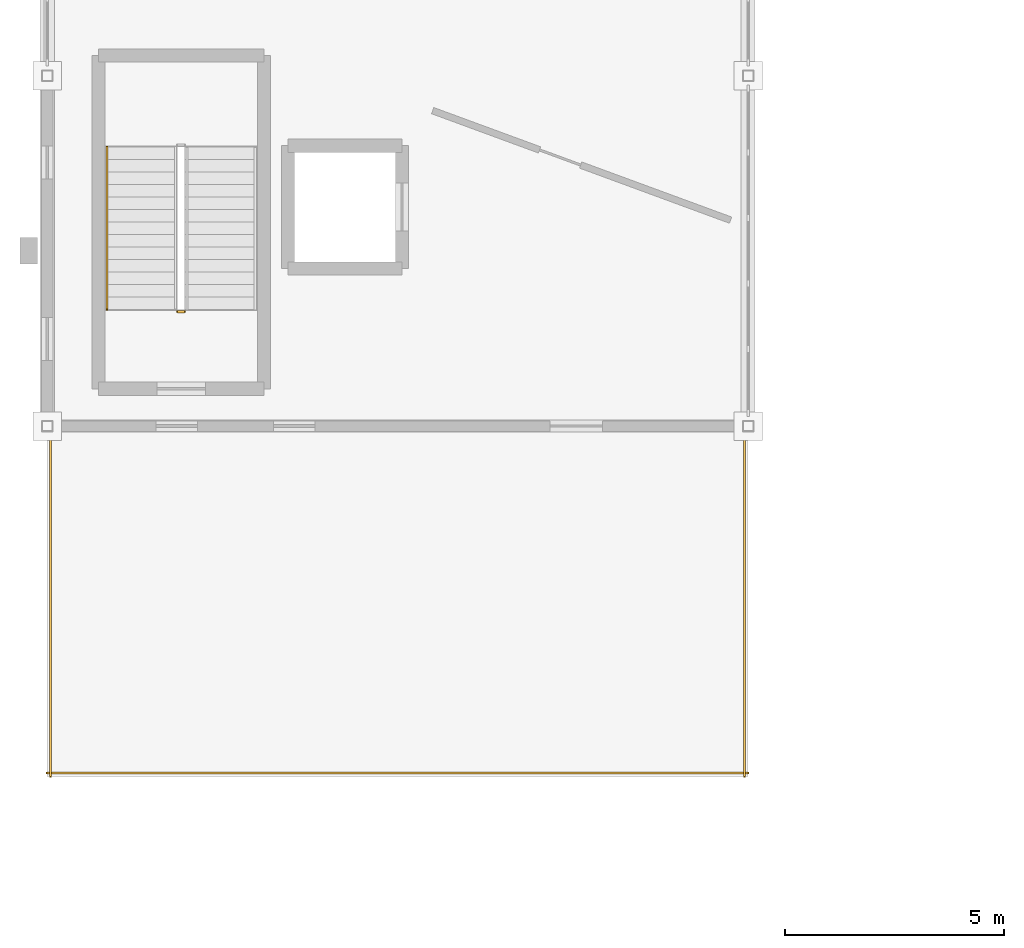
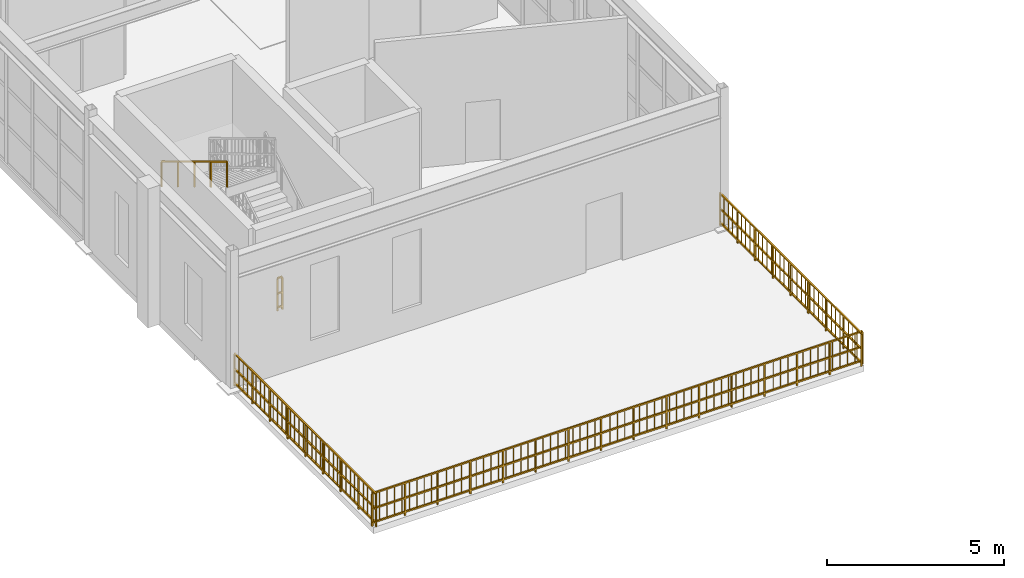
# One storey, part 54 of 61: 5 railings.
"""IFC4 building model written with IfcOpenShell, lengths in metres."""

from ifc_helpers import new_model, si_unit, direction, frame, origin, origin_2d, place, context, subcontext, project, spatial, rectangle, extrude, material, layer, layer_set, type_object, element, save


model = new_model("IFC4")

# Units and contexts
model_context = context("Model", 3, precision=1e-05, world=origin(), true_north=direction((0.0, 1.0)))
body_context = subcontext(model_context, "Body", "Model", "MODEL_VIEW")
ifc_project = project(units=[si_unit("LENGTHUNIT", "METRE"), si_unit("AREAUNIT", "SQUARE_METRE"), si_unit("VOLUMEUNIT", "CUBIC_METRE"), si_unit("PLANEANGLEUNIT", "RADIAN"), si_unit("MASSUNIT", "GRAM", prefix="KILO")], contexts=[model_context])

# Site, building, storey
site_placement = place(None, origin())
site = spatial("IfcSite", under=ifc_project, at=site_placement, CompositionType="ELEMENT")
building_placement = place(site_placement, origin())
building = spatial("IfcBuilding", under=site, at=building_placement, Name="Serraluz Foothill Cableway Terminal", CompositionType="ELEMENT")
storey_placement = place(building_placement, frame((0.0, 0.0, 15.0)))
storey = spatial("IfcBuildingStorey", under=building, at=storey_placement, Name="L03", CompositionType="ELEMENT", Elevation=15.0)

# Railings
ifc_material_1 = material(Name="Steel ASTM A572 Grade 50", Category="steel")
ifc_layer_1 = layer(ifc_material_1, 0.06005859375, Name="Steel ASTM A572 Grade 50", Category="steel")
ifc_layer_set_1 = layer_set([ifc_layer_1], Name="Steel ASTM A572 Grade 50")
railing_type_1 = type_object("IfcRailingType", Name="TYP-RL-BAL-1150", PredefinedType="BALUSTRADE", material=ifc_layer_set_1)
railing_1_placement = place(storey_placement, frame((0.080078125, 32.0, 0.0)))
element("IfcRailing", 1, at=railing_1_placement, inside=storey, type_object=railing_type_1, Name="BALUSTRADE BAL-TER-L03-V5-1", PredefinedType="BALUSTRADE", context=body_context, shape_type="SweptSolid", body=[
    extrude(rectangle(XDim=0.048095703125, YDim=0.048095703125, at=origin_2d()), frame((0.0, 0.0, 1.1259765625), z_axis=(0.0, -1.0, 0.0), x_axis=(1.0, 0.0, 0.0)), (0.0, 0.0, 1.0), 8.0),
    extrude(rectangle(XDim=0.048095703125, YDim=0.048095703125, at=origin_2d()), frame((0.0, 0.0, 0.597900390625), z_axis=(0.0, -1.0, 0.0), x_axis=(1.0, 0.0, 0.0)), (0.0, 0.0, 1.0), 8.0),
    extrude(rectangle(XDim=0.048095703125, YDim=0.048095703125, at=origin_2d()), frame((0.0, 0.0, 0.1201171875), z_axis=(0.0, -1.0, 0.0), x_axis=(1.0, 0.0, 0.0)), (0.0, 0.0, 1.0), 8.0),
    extrude(rectangle(XDim=0.02001953125, YDim=0.02001953125, at=origin_2d()), frame((0.0, -0.242431640625, 0.1201171875)), (0.0, 0.0, 1.0), 0.981689453125),
    extrude(rectangle(XDim=0.02001953125, YDim=0.02001953125, at=origin_2d()), frame((0.0, -0.48486328125, 0.1201171875)), (0.0, 0.0, 1.0), 0.981689453125),
    extrude(rectangle(XDim=0.02001953125, YDim=0.02001953125, at=origin_2d()), frame((0.0, -0.727294921875, 0.1201171875)), (0.0, 0.0, 1.0), 0.981689453125),
    extrude(rectangle(XDim=0.02001953125, YDim=0.02001953125, at=origin_2d()), frame((0.0, -1.212158203125, 0.1201171875)), (0.0, 0.0, 1.0), 0.981689453125),
    extrude(rectangle(XDim=0.02001953125, YDim=0.02001953125, at=origin_2d()), frame((0.0, -1.45458984375, 0.1201171875)), (0.0, 0.0, 1.0), 0.981689453125),
    extrude(rectangle(XDim=0.02001953125, YDim=0.02001953125, at=origin_2d()), frame((0.0, -1.697021484375, 0.1201171875)), (0.0, 0.0, 1.0), 0.981689453125),
    extrude(rectangle(XDim=0.02001953125, YDim=0.02001953125, at=origin_2d()), frame((0.0, -1.939453125, 0.1201171875)), (0.0, 0.0, 1.0), 0.981689453125),
    extrude(rectangle(XDim=0.02001953125, YDim=0.02001953125, at=origin_2d()), frame((0.0, -2.181884765625, 0.1201171875)), (0.0, 0.0, 1.0), 0.981689453125),
    extrude(rectangle(XDim=0.02001953125, YDim=0.02001953125, at=origin_2d()), frame((0.0, -2.42431640625, 0.1201171875)), (0.0, 0.0, 1.0), 0.981689453125),
    extrude(rectangle(XDim=0.02001953125, YDim=0.02001953125, at=origin_2d()), frame((0.0, -2.666748046875, 0.1201171875)), (0.0, 0.0, 1.0), 0.981689453125),
    extrude(rectangle(XDim=0.02001953125, YDim=0.02001953125, at=origin_2d()), frame((0.0, -2.9091796875, 0.1201171875)), (0.0, 0.0, 1.0), 0.981689453125),
    extrude(rectangle(XDim=0.02001953125, YDim=0.02001953125, at=origin_2d()), frame((0.0, -3.151611328125, 0.1201171875)), (0.0, 0.0, 1.0), 0.981689453125),
    extrude(rectangle(XDim=0.02001953125, YDim=0.02001953125, at=origin_2d()), frame((0.0, -3.39404296875, 0.1201171875)), (0.0, 0.0, 1.0), 0.981689453125),
    extrude(rectangle(XDim=0.02001953125, YDim=0.02001953125, at=origin_2d()), frame((0.0, -3.636474609375, 0.1201171875)), (0.0, 0.0, 1.0), 0.981689453125),
    extrude(rectangle(XDim=0.02001953125, YDim=0.02001953125, at=origin_2d()), frame((0.0, -3.87890625, 0.1201171875)), (0.0, 0.0, 1.0), 0.981689453125),
    extrude(rectangle(XDim=0.02001953125, YDim=0.02001953125, at=origin_2d()), frame((0.0, -4.12109375, 0.1201171875)), (0.0, 0.0, 1.0), 0.981689453125),
    extrude(rectangle(XDim=0.02001953125, YDim=0.02001953125, at=origin_2d()), frame((0.0, -4.363525390625, 0.1201171875)), (0.0, 0.0, 1.0), 0.981689453125),
    extrude(rectangle(XDim=0.02001953125, YDim=0.02001953125, at=origin_2d()), frame((0.0, -4.60595703125, 0.1201171875)), (0.0, 0.0, 1.0), 0.981689453125),
    extrude(rectangle(XDim=0.02001953125, YDim=0.02001953125, at=origin_2d()), frame((0.0, -4.848388671875, 0.1201171875)), (0.0, 0.0, 1.0), 0.981689453125),
    extrude(rectangle(XDim=0.02001953125, YDim=0.02001953125, at=origin_2d()), frame((0.0, -5.0908203125, 0.1201171875)), (0.0, 0.0, 1.0), 0.981689453125),
    extrude(rectangle(XDim=0.02001953125, YDim=0.02001953125, at=origin_2d()), frame((0.0, -5.333251953125, 0.1201171875)), (0.0, 0.0, 1.0), 0.981689453125),
    extrude(rectangle(XDim=0.02001953125, YDim=0.02001953125, at=origin_2d()), frame((0.0, -5.57568359375, 0.1201171875)), (0.0, 0.0, 1.0), 0.981689453125),
    extrude(rectangle(XDim=0.02001953125, YDim=0.02001953125, at=origin_2d()), frame((0.0, -5.818115234375, 0.1201171875)), (0.0, 0.0, 1.0), 0.981689453125),
    extrude(rectangle(XDim=0.02001953125, YDim=0.02001953125, at=origin_2d()), frame((0.0, -6.060546875, 0.1201171875)), (0.0, 0.0, 1.0), 0.981689453125),
    extrude(rectangle(XDim=0.02001953125, YDim=0.02001953125, at=origin_2d()), frame((0.0, -6.302978515625, 0.1201171875)), (0.0, 0.0, 1.0), 0.981689453125),
    extrude(rectangle(XDim=0.02001953125, YDim=0.02001953125, at=origin_2d()), frame((0.0, -6.54541015625, 0.1201171875)), (0.0, 0.0, 1.0), 0.981689453125),
    extrude(rectangle(XDim=0.02001953125, YDim=0.02001953125, at=origin_2d()), frame((0.0, -6.787841796875, 0.1201171875)), (0.0, 0.0, 1.0), 0.981689453125),
    extrude(rectangle(XDim=0.02001953125, YDim=0.02001953125, at=origin_2d()), frame((0.0, -7.272705078125, 0.1201171875)), (0.0, 0.0, 1.0), 0.981689453125),
    extrude(rectangle(XDim=0.02001953125, YDim=0.02001953125, at=origin_2d()), frame((0.0, -7.51513671875, 0.1201171875)), (0.0, 0.0, 1.0), 0.981689453125),
    extrude(rectangle(XDim=0.02001953125, YDim=0.02001953125, at=origin_2d()), frame((0.0, -7.757568359375, 0.1201171875)), (0.0, 0.0, 1.0), 0.981689453125),
    extrude(rectangle(XDim=0.0439453125, YDim=0.0439453125, at=origin_2d()), origin(), (0.0, 0.0, 1.0), 1.101806640625),
    extrude(rectangle(XDim=0.0439453125, YDim=0.0439453125, at=origin_2d()), frame((0.0, -1.0, 0.0)), (0.0, 0.0, 1.0), 1.101806640625),
    extrude(rectangle(XDim=0.0439453125, YDim=0.0439453125, at=origin_2d()), frame((0.0, -2.0, 0.0)), (0.0, 0.0, 1.0), 1.101806640625),
    extrude(rectangle(XDim=0.0439453125, YDim=0.0439453125, at=origin_2d()), frame((0.0, -3.0, 0.0)), (0.0, 0.0, 1.0), 1.101806640625),
    extrude(rectangle(XDim=0.0439453125, YDim=0.0439453125, at=origin_2d()), frame((0.0, -4.0, 0.0)), (0.0, 0.0, 1.0), 1.101806640625),
    extrude(rectangle(XDim=0.0439453125, YDim=0.0439453125, at=origin_2d()), frame((0.0, -5.0, 0.0)), (0.0, 0.0, 1.0), 1.101806640625),
    extrude(rectangle(XDim=0.0439453125, YDim=0.0439453125, at=origin_2d()), frame((0.0, -6.0, 0.0)), (0.0, 0.0, 1.0), 1.101806640625),
    extrude(rectangle(XDim=0.0439453125, YDim=0.0439453125, at=origin_2d()), frame((0.0, -7.0, 0.0)), (0.0, 0.0, 1.0), 1.101806640625),
    extrude(rectangle(XDim=0.0439453125, YDim=0.0439453125, at=origin_2d()), frame((0.0, -8.0, 0.0)), (0.0, 0.0, 1.0), 1.101806640625),
])
railing_2_placement = place(storey_placement, frame((0.0, 24.080078125, 0.0)))
element("IfcRailing", 2, at=railing_2_placement, inside=storey, type_object=railing_type_1, Name="BALUSTRADE BAL-TER-L03-V5-2", PredefinedType="BALUSTRADE", context=body_context, shape_type="SweptSolid", body=[
    extrude(rectangle(XDim=0.048095703125, YDim=0.048095703125, at=origin_2d()), frame((0.0, 0.0, 1.1259765625), z_axis=(1.0, 0.0, 0.0), x_axis=(0.0, 1.0, 0.0)), (0.0, 0.0, 1.0), 16.0),
    extrude(rectangle(XDim=0.048095703125, YDim=0.048095703125, at=origin_2d()), frame((0.0, 0.0, 0.597900390625), z_axis=(1.0, 0.0, 0.0), x_axis=(0.0, 1.0, 0.0)), (0.0, 0.0, 1.0), 16.0),
    extrude(rectangle(XDim=0.048095703125, YDim=0.048095703125, at=origin_2d()), frame((0.0, 0.0, 0.1201171875), z_axis=(1.0, 0.0, 0.0), x_axis=(0.0, 1.0, 0.0)), (0.0, 0.0, 1.0), 16.0),
    extrude(rectangle(XDim=0.02001953125, YDim=0.02001953125, at=origin_2d()), frame((0.242431640625, 0.0, 0.1201171875)), (0.0, 0.0, 1.0), 0.981689453125),
    extrude(rectangle(XDim=0.02001953125, YDim=0.02001953125, at=origin_2d()), frame((0.48486328125, 0.0, 0.1201171875)), (0.0, 0.0, 1.0), 0.981689453125),
    extrude(rectangle(XDim=0.02001953125, YDim=0.02001953125, at=origin_2d()), frame((0.727294921875, 0.0, 0.1201171875)), (0.0, 0.0, 1.0), 0.981689453125),
    extrude(rectangle(XDim=0.02001953125, YDim=0.02001953125, at=origin_2d()), frame((0.9697265625, 0.0, 0.1201171875)), (0.0, 0.0, 1.0), 0.981689453125),
    extrude(rectangle(XDim=0.02001953125, YDim=0.02001953125, at=origin_2d()), frame((1.212158203125, 0.0, 0.1201171875)), (0.0, 0.0, 1.0), 0.981689453125),
    extrude(rectangle(XDim=0.02001953125, YDim=0.02001953125, at=origin_2d()), frame((1.45458984375, 0.0, 0.1201171875)), (0.0, 0.0, 1.0), 0.981689453125),
    extrude(rectangle(XDim=0.02001953125, YDim=0.02001953125, at=origin_2d()), frame((1.697021484375, 0.0, 0.1201171875)), (0.0, 0.0, 1.0), 0.981689453125),
    extrude(rectangle(XDim=0.02001953125, YDim=0.02001953125, at=origin_2d()), frame((1.939453125, 0.0, 0.1201171875)), (0.0, 0.0, 1.0), 0.981689453125),
    extrude(rectangle(XDim=0.02001953125, YDim=0.02001953125, at=origin_2d()), frame((2.42431640625, 0.0, 0.1201171875)), (0.0, 0.0, 1.0), 0.981689453125),
    extrude(rectangle(XDim=0.02001953125, YDim=0.02001953125, at=origin_2d()), frame((2.666748046875, 0.0, 0.1201171875)), (0.0, 0.0, 1.0), 0.981689453125),
    extrude(rectangle(XDim=0.02001953125, YDim=0.02001953125, at=origin_2d()), frame((2.9091796875, 0.0, 0.1201171875)), (0.0, 0.0, 1.0), 0.981689453125),
    extrude(rectangle(XDim=0.02001953125, YDim=0.02001953125, at=origin_2d()), frame((3.39404296875, 0.0, 0.1201171875)), (0.0, 0.0, 1.0), 0.981689453125),
    extrude(rectangle(XDim=0.02001953125, YDim=0.02001953125, at=origin_2d()), frame((3.636474609375, 0.0, 0.1201171875)), (0.0, 0.0, 1.0), 0.981689453125),
    extrude(rectangle(XDim=0.02001953125, YDim=0.02001953125, at=origin_2d()), frame((3.87890625, 0.0, 0.1201171875)), (0.0, 0.0, 1.0), 0.981689453125),
    extrude(rectangle(XDim=0.02001953125, YDim=0.02001953125, at=origin_2d()), frame((4.12109375, 0.0, 0.1201171875)), (0.0, 0.0, 1.0), 0.981689453125),
    extrude(rectangle(XDim=0.02001953125, YDim=0.02001953125, at=origin_2d()), frame((4.363525390625, 0.0, 0.1201171875)), (0.0, 0.0, 1.0), 0.981689453125),
    extrude(rectangle(XDim=0.02001953125, YDim=0.02001953125, at=origin_2d()), frame((4.60595703125, 0.0, 0.1201171875)), (0.0, 0.0, 1.0), 0.981689453125),
    extrude(rectangle(XDim=0.02001953125, YDim=0.02001953125, at=origin_2d()), frame((4.848388671875, 0.0, 0.1201171875)), (0.0, 0.0, 1.0), 0.981689453125),
    extrude(rectangle(XDim=0.02001953125, YDim=0.02001953125, at=origin_2d()), frame((5.0908203125, 0.0, 0.1201171875)), (0.0, 0.0, 1.0), 0.981689453125),
    extrude(rectangle(XDim=0.02001953125, YDim=0.02001953125, at=origin_2d()), frame((5.57568359375, 0.0, 0.1201171875)), (0.0, 0.0, 1.0), 0.981689453125),
    extrude(rectangle(XDim=0.02001953125, YDim=0.02001953125, at=origin_2d()), frame((5.818115234375, 0.0, 0.1201171875)), (0.0, 0.0, 1.0), 0.981689453125),
    extrude(rectangle(XDim=0.02001953125, YDim=0.02001953125, at=origin_2d()), frame((6.060546875, 0.0, 0.1201171875)), (0.0, 0.0, 1.0), 0.981689453125),
    extrude(rectangle(XDim=0.02001953125, YDim=0.02001953125, at=origin_2d()), frame((6.302978515625, 0.0, 0.1201171875)), (0.0, 0.0, 1.0), 0.981689453125),
    extrude(rectangle(XDim=0.02001953125, YDim=0.02001953125, at=origin_2d()), frame((6.54541015625, 0.0, 0.1201171875)), (0.0, 0.0, 1.0), 0.981689453125),
    extrude(rectangle(XDim=0.02001953125, YDim=0.02001953125, at=origin_2d()), frame((6.787841796875, 0.0, 0.1201171875)), (0.0, 0.0, 1.0), 0.981689453125),
    extrude(rectangle(XDim=0.02001953125, YDim=0.02001953125, at=origin_2d()), frame((7.0302734375, 0.0, 0.1201171875)), (0.0, 0.0, 1.0), 0.981689453125),
    extrude(rectangle(XDim=0.02001953125, YDim=0.02001953125, at=origin_2d()), frame((7.272705078125, 0.0, 0.1201171875)), (0.0, 0.0, 1.0), 0.981689453125),
    extrude(rectangle(XDim=0.02001953125, YDim=0.02001953125, at=origin_2d()), frame((7.757568359375, 0.0, 0.1201171875)), (0.0, 0.0, 1.0), 0.981689453125),
    extrude(rectangle(XDim=0.02001953125, YDim=0.02001953125, at=origin_2d()), frame((8.0, 0.0, 0.1201171875)), (0.0, 0.0, 1.0), 0.981689453125),
    extrude(rectangle(XDim=0.02001953125, YDim=0.02001953125, at=origin_2d()), frame((8.242431640625, 0.0, 0.1201171875)), (0.0, 0.0, 1.0), 0.981689453125),
    extrude(rectangle(XDim=0.02001953125, YDim=0.02001953125, at=origin_2d()), frame((8.727294921875, 0.0, 0.1201171875)), (0.0, 0.0, 1.0), 0.981689453125),
    extrude(rectangle(XDim=0.02001953125, YDim=0.02001953125, at=origin_2d()), frame((8.9697265625, 0.0, 0.1201171875)), (0.0, 0.0, 1.0), 0.981689453125),
    extrude(rectangle(XDim=0.02001953125, YDim=0.02001953125, at=origin_2d()), frame((9.212158203125, 0.0, 0.1201171875)), (0.0, 0.0, 1.0), 0.981689453125),
    extrude(rectangle(XDim=0.02001953125, YDim=0.02001953125, at=origin_2d()), frame((9.45458984375, 0.0, 0.1201171875)), (0.0, 0.0, 1.0), 0.981689453125),
    extrude(rectangle(XDim=0.02001953125, YDim=0.02001953125, at=origin_2d()), frame((9.697021484375, 0.0, 0.1201171875)), (0.0, 0.0, 1.0), 0.981689453125),
    extrude(rectangle(XDim=0.02001953125, YDim=0.02001953125, at=origin_2d()), frame((9.939453125, 0.0, 0.1201171875)), (0.0, 0.0, 1.0), 0.981689453125),
    extrude(rectangle(XDim=0.02001953125, YDim=0.02001953125, at=origin_2d()), frame((10.181884765625, 0.0, 0.1201171875)), (0.0, 0.0, 1.0), 0.981689453125),
    extrude(rectangle(XDim=0.02001953125, YDim=0.02001953125, at=origin_2d()), frame((10.42431640625, 0.0, 0.1201171875)), (0.0, 0.0, 1.0), 0.981689453125),
    extrude(rectangle(XDim=0.02001953125, YDim=0.02001953125, at=origin_2d()), frame((10.9091796875, 0.0, 0.1201171875)), (0.0, 0.0, 1.0), 0.981689453125),
    extrude(rectangle(XDim=0.02001953125, YDim=0.02001953125, at=origin_2d()), frame((11.151611328125, 0.0, 0.1201171875)), (0.0, 0.0, 1.0), 0.981689453125),
    extrude(rectangle(XDim=0.02001953125, YDim=0.02001953125, at=origin_2d()), frame((11.39404296875, 0.0, 0.1201171875)), (0.0, 0.0, 1.0), 0.981689453125),
    extrude(rectangle(XDim=0.02001953125, YDim=0.02001953125, at=origin_2d()), frame((11.636474609375, 0.0, 0.1201171875)), (0.0, 0.0, 1.0), 0.981689453125),
    extrude(rectangle(XDim=0.02001953125, YDim=0.02001953125, at=origin_2d()), frame((11.87890625, 0.0, 0.1201171875)), (0.0, 0.0, 1.0), 0.981689453125),
    extrude(rectangle(XDim=0.02001953125, YDim=0.02001953125, at=origin_2d()), frame((12.12109375, 0.0, 0.1201171875)), (0.0, 0.0, 1.0), 0.981689453125),
    extrude(rectangle(XDim=0.02001953125, YDim=0.02001953125, at=origin_2d()), frame((12.363525390625, 0.0, 0.1201171875)), (0.0, 0.0, 1.0), 0.981689453125),
    extrude(rectangle(XDim=0.02001953125, YDim=0.02001953125, at=origin_2d()), frame((12.60595703125, 0.0, 0.1201171875)), (0.0, 0.0, 1.0), 0.981689453125),
    extrude(rectangle(XDim=0.02001953125, YDim=0.02001953125, at=origin_2d()), frame((13.0908203125, 0.0, 0.1201171875)), (0.0, 0.0, 1.0), 0.981689453125),
    extrude(rectangle(XDim=0.02001953125, YDim=0.02001953125, at=origin_2d()), frame((13.333251953125, 0.0, 0.1201171875)), (0.0, 0.0, 1.0), 0.981689453125),
    extrude(rectangle(XDim=0.02001953125, YDim=0.02001953125, at=origin_2d()), frame((13.57568359375, 0.0, 0.1201171875)), (0.0, 0.0, 1.0), 0.981689453125),
    extrude(rectangle(XDim=0.02001953125, YDim=0.02001953125, at=origin_2d()), frame((14.060546875, 0.0, 0.1201171875)), (0.0, 0.0, 1.0), 0.981689453125),
    extrude(rectangle(XDim=0.02001953125, YDim=0.02001953125, at=origin_2d()), frame((14.302978515625, 0.0, 0.1201171875)), (0.0, 0.0, 1.0), 0.981689453125),
    extrude(rectangle(XDim=0.02001953125, YDim=0.02001953125, at=origin_2d()), frame((14.54541015625, 0.0, 0.1201171875)), (0.0, 0.0, 1.0), 0.981689453125),
    extrude(rectangle(XDim=0.02001953125, YDim=0.02001953125, at=origin_2d()), frame((14.787841796875, 0.0, 0.1201171875)), (0.0, 0.0, 1.0), 0.981689453125),
    extrude(rectangle(XDim=0.02001953125, YDim=0.02001953125, at=origin_2d()), frame((15.0302734375, 0.0, 0.1201171875)), (0.0, 0.0, 1.0), 0.981689453125),
    extrude(rectangle(XDim=0.02001953125, YDim=0.02001953125, at=origin_2d()), frame((15.272705078125, 0.0, 0.1201171875)), (0.0, 0.0, 1.0), 0.981689453125),
    extrude(rectangle(XDim=0.02001953125, YDim=0.02001953125, at=origin_2d()), frame((15.51513671875, 0.0, 0.1201171875)), (0.0, 0.0, 1.0), 0.981689453125),
    extrude(rectangle(XDim=0.02001953125, YDim=0.02001953125, at=origin_2d()), frame((15.757568359375, 0.0, 0.1201171875)), (0.0, 0.0, 1.0), 0.981689453125),
    extrude(rectangle(XDim=0.0439453125, YDim=0.0439453125, at=origin_2d()), origin(), (0.0, 0.0, 1.0), 1.101806640625),
    extrude(rectangle(XDim=0.0439453125, YDim=0.0439453125, at=origin_2d()), frame((1.066650390625, 0.0, 0.0)), (0.0, 0.0, 1.0), 1.101806640625),
    extrude(rectangle(XDim=0.0439453125, YDim=0.0439453125, at=origin_2d()), frame((2.13330078125, 0.0, 0.0)), (0.0, 0.0, 1.0), 1.101806640625),
    extrude(rectangle(XDim=0.0439453125, YDim=0.0439453125, at=origin_2d()), frame((3.199951171875, 0.0, 0.0)), (0.0, 0.0, 1.0), 1.101806640625),
    extrude(rectangle(XDim=0.0439453125, YDim=0.0439453125, at=origin_2d()), frame((4.2666015625, 0.0, 0.0)), (0.0, 0.0, 1.0), 1.101806640625),
    extrude(rectangle(XDim=0.0439453125, YDim=0.0439453125, at=origin_2d()), frame((5.333251953125, 0.0, 0.0)), (0.0, 0.0, 1.0), 1.101806640625),
    extrude(rectangle(XDim=0.0439453125, YDim=0.0439453125, at=origin_2d()), frame((6.39990234375, 0.0, 0.0)), (0.0, 0.0, 1.0), 1.101806640625),
    extrude(rectangle(XDim=0.0439453125, YDim=0.0439453125, at=origin_2d()), frame((7.466552734375, 0.0, 0.0)), (0.0, 0.0, 1.0), 1.101806640625),
    extrude(rectangle(XDim=0.0439453125, YDim=0.0439453125, at=origin_2d()), frame((8.533447265625, 0.0, 0.0)), (0.0, 0.0, 1.0), 1.101806640625),
    extrude(rectangle(XDim=0.0439453125, YDim=0.0439453125, at=origin_2d()), frame((9.60009765625, 0.0, 0.0)), (0.0, 0.0, 1.0), 1.101806640625),
    extrude(rectangle(XDim=0.0439453125, YDim=0.0439453125, at=origin_2d()), frame((10.666748046875, 0.0, 0.0)), (0.0, 0.0, 1.0), 1.101806640625),
    extrude(rectangle(XDim=0.0439453125, YDim=0.0439453125, at=origin_2d()), frame((11.7333984375, 0.0, 0.0)), (0.0, 0.0, 1.0), 1.101806640625),
    extrude(rectangle(XDim=0.0439453125, YDim=0.0439453125, at=origin_2d()), frame((12.800048828125, 0.0, 0.0)), (0.0, 0.0, 1.0), 1.101806640625),
    extrude(rectangle(XDim=0.0439453125, YDim=0.0439453125, at=origin_2d()), frame((13.86669921875, 0.0, 0.0)), (0.0, 0.0, 1.0), 1.101806640625),
    extrude(rectangle(XDim=0.0439453125, YDim=0.0439453125, at=origin_2d()), frame((14.933349609375, 0.0, 0.0)), (0.0, 0.0, 1.0), 1.101806640625),
    extrude(rectangle(XDim=0.0439453125, YDim=0.0439453125, at=origin_2d()), frame((16.0, 0.0, 0.0)), (0.0, 0.0, 1.0), 1.101806640625),
])
railing_3_placement = place(storey_placement, frame((15.919921875, 24.0, 0.0)))
element("IfcRailing", 3, at=railing_3_placement, inside=storey, type_object=railing_type_1, Name="BALUSTRADE BAL-TER-L03-V5-3", PredefinedType="BALUSTRADE", context=body_context, shape_type="SweptSolid", body=[
    extrude(rectangle(XDim=0.048095703125, YDim=0.048095703125, at=origin_2d()), frame((0.0, 0.0, 1.1259765625), z_axis=(0.0, 1.0, 0.0), x_axis=(-1.0, 0.0, 0.0)), (0.0, 0.0, 1.0), 8.0),
    extrude(rectangle(XDim=0.048095703125, YDim=0.048095703125, at=origin_2d()), frame((0.0, 0.0, 0.597900390625), z_axis=(0.0, 1.0, 0.0), x_axis=(-1.0, 0.0, 0.0)), (0.0, 0.0, 1.0), 8.0),
    extrude(rectangle(XDim=0.048095703125, YDim=0.048095703125, at=origin_2d()), frame((0.0, 0.0, 0.1201171875), z_axis=(0.0, 1.0, 0.0), x_axis=(-1.0, 0.0, 0.0)), (0.0, 0.0, 1.0), 8.0),
    extrude(rectangle(XDim=0.02001953125, YDim=0.02001953125, at=origin_2d()), frame((0.0, 0.242431640625, 0.1201171875)), (0.0, 0.0, 1.0), 0.981689453125),
    extrude(rectangle(XDim=0.02001953125, YDim=0.02001953125, at=origin_2d()), frame((0.0, 0.48486328125, 0.1201171875)), (0.0, 0.0, 1.0), 0.981689453125),
    extrude(rectangle(XDim=0.02001953125, YDim=0.02001953125, at=origin_2d()), frame((0.0, 0.727294921875, 0.1201171875)), (0.0, 0.0, 1.0), 0.981689453125),
    extrude(rectangle(XDim=0.02001953125, YDim=0.02001953125, at=origin_2d()), frame((0.0, 1.212158203125, 0.1201171875)), (0.0, 0.0, 1.0), 0.981689453125),
    extrude(rectangle(XDim=0.02001953125, YDim=0.02001953125, at=origin_2d()), frame((0.0, 1.45458984375, 0.1201171875)), (0.0, 0.0, 1.0), 0.981689453125),
    extrude(rectangle(XDim=0.02001953125, YDim=0.02001953125, at=origin_2d()), frame((0.0, 1.697021484375, 0.1201171875)), (0.0, 0.0, 1.0), 0.981689453125),
    extrude(rectangle(XDim=0.02001953125, YDim=0.02001953125, at=origin_2d()), frame((0.0, 1.939453125, 0.1201171875)), (0.0, 0.0, 1.0), 0.981689453125),
    extrude(rectangle(XDim=0.02001953125, YDim=0.02001953125, at=origin_2d()), frame((0.0, 2.181884765625, 0.1201171875)), (0.0, 0.0, 1.0), 0.981689453125),
    extrude(rectangle(XDim=0.02001953125, YDim=0.02001953125, at=origin_2d()), frame((0.0, 2.42431640625, 0.1201171875)), (0.0, 0.0, 1.0), 0.981689453125),
    extrude(rectangle(XDim=0.02001953125, YDim=0.02001953125, at=origin_2d()), frame((0.0, 2.666748046875, 0.1201171875)), (0.0, 0.0, 1.0), 0.981689453125),
    extrude(rectangle(XDim=0.02001953125, YDim=0.02001953125, at=origin_2d()), frame((0.0, 2.9091796875, 0.1201171875)), (0.0, 0.0, 1.0), 0.981689453125),
    extrude(rectangle(XDim=0.02001953125, YDim=0.02001953125, at=origin_2d()), frame((0.0, 3.151611328125, 0.1201171875)), (0.0, 0.0, 1.0), 0.981689453125),
    extrude(rectangle(XDim=0.02001953125, YDim=0.02001953125, at=origin_2d()), frame((0.0, 3.39404296875, 0.1201171875)), (0.0, 0.0, 1.0), 0.981689453125),
    extrude(rectangle(XDim=0.02001953125, YDim=0.02001953125, at=origin_2d()), frame((0.0, 3.636474609375, 0.1201171875)), (0.0, 0.0, 1.0), 0.981689453125),
    extrude(rectangle(XDim=0.02001953125, YDim=0.02001953125, at=origin_2d()), frame((0.0, 3.87890625, 0.1201171875)), (0.0, 0.0, 1.0), 0.981689453125),
    extrude(rectangle(XDim=0.02001953125, YDim=0.02001953125, at=origin_2d()), frame((0.0, 4.12109375, 0.1201171875)), (0.0, 0.0, 1.0), 0.981689453125),
    extrude(rectangle(XDim=0.02001953125, YDim=0.02001953125, at=origin_2d()), frame((0.0, 4.363525390625, 0.1201171875)), (0.0, 0.0, 1.0), 0.981689453125),
    extrude(rectangle(XDim=0.02001953125, YDim=0.02001953125, at=origin_2d()), frame((0.0, 4.60595703125, 0.1201171875)), (0.0, 0.0, 1.0), 0.981689453125),
    extrude(rectangle(XDim=0.02001953125, YDim=0.02001953125, at=origin_2d()), frame((0.0, 4.848388671875, 0.1201171875)), (0.0, 0.0, 1.0), 0.981689453125),
    extrude(rectangle(XDim=0.02001953125, YDim=0.02001953125, at=origin_2d()), frame((0.0, 5.0908203125, 0.1201171875)), (0.0, 0.0, 1.0), 0.981689453125),
    extrude(rectangle(XDim=0.02001953125, YDim=0.02001953125, at=origin_2d()), frame((0.0, 5.333251953125, 0.1201171875)), (0.0, 0.0, 1.0), 0.981689453125),
    extrude(rectangle(XDim=0.02001953125, YDim=0.02001953125, at=origin_2d()), frame((0.0, 5.57568359375, 0.1201171875)), (0.0, 0.0, 1.0), 0.981689453125),
    extrude(rectangle(XDim=0.02001953125, YDim=0.02001953125, at=origin_2d()), frame((0.0, 5.818115234375, 0.1201171875)), (0.0, 0.0, 1.0), 0.981689453125),
    extrude(rectangle(XDim=0.02001953125, YDim=0.02001953125, at=origin_2d()), frame((0.0, 6.060546875, 0.1201171875)), (0.0, 0.0, 1.0), 0.981689453125),
    extrude(rectangle(XDim=0.02001953125, YDim=0.02001953125, at=origin_2d()), frame((0.0, 6.302978515625, 0.1201171875)), (0.0, 0.0, 1.0), 0.981689453125),
    extrude(rectangle(XDim=0.02001953125, YDim=0.02001953125, at=origin_2d()), frame((0.0, 6.54541015625, 0.1201171875)), (0.0, 0.0, 1.0), 0.981689453125),
    extrude(rectangle(XDim=0.02001953125, YDim=0.02001953125, at=origin_2d()), frame((0.0, 6.787841796875, 0.1201171875)), (0.0, 0.0, 1.0), 0.981689453125),
    extrude(rectangle(XDim=0.02001953125, YDim=0.02001953125, at=origin_2d()), frame((0.0, 7.272705078125, 0.1201171875)), (0.0, 0.0, 1.0), 0.981689453125),
    extrude(rectangle(XDim=0.02001953125, YDim=0.02001953125, at=origin_2d()), frame((0.0, 7.51513671875, 0.1201171875)), (0.0, 0.0, 1.0), 0.981689453125),
    extrude(rectangle(XDim=0.02001953125, YDim=0.02001953125, at=origin_2d()), frame((0.0, 7.757568359375, 0.1201171875)), (0.0, 0.0, 1.0), 0.981689453125),
    extrude(rectangle(XDim=0.0439453125, YDim=0.0439453125, at=origin_2d()), origin(), (0.0, 0.0, 1.0), 1.101806640625),
    extrude(rectangle(XDim=0.0439453125, YDim=0.0439453125, at=origin_2d()), frame((0.0, 1.0, 0.0)), (0.0, 0.0, 1.0), 1.101806640625),
    extrude(rectangle(XDim=0.0439453125, YDim=0.0439453125, at=origin_2d()), frame((0.0, 2.0, 0.0)), (0.0, 0.0, 1.0), 1.101806640625),
    extrude(rectangle(XDim=0.0439453125, YDim=0.0439453125, at=origin_2d()), frame((0.0, 3.0, 0.0)), (0.0, 0.0, 1.0), 1.101806640625),
    extrude(rectangle(XDim=0.0439453125, YDim=0.0439453125, at=origin_2d()), frame((0.0, 4.0, 0.0)), (0.0, 0.0, 1.0), 1.101806640625),
    extrude(rectangle(XDim=0.0439453125, YDim=0.0439453125, at=origin_2d()), frame((0.0, 5.0, 0.0)), (0.0, 0.0, 1.0), 1.101806640625),
    extrude(rectangle(XDim=0.0439453125, YDim=0.0439453125, at=origin_2d()), frame((0.0, 6.0, 0.0)), (0.0, 0.0, 1.0), 1.101806640625),
    extrude(rectangle(XDim=0.0439453125, YDim=0.0439453125, at=origin_2d()), frame((0.0, 7.0, 0.0)), (0.0, 0.0, 1.0), 1.101806640625),
    extrude(rectangle(XDim=0.0439453125, YDim=0.0439453125, at=origin_2d()), frame((0.0, 8.0, 0.0)), (0.0, 0.0, 1.0), 1.101806640625),
])
ifc_layer_2 = layer(ifc_material_1, 0.054931640625, Name="Steel ASTM A572 Grade 50", Category="steel")
ifc_layer_set_2 = layer_set([ifc_layer_2], Name="Steel ASTM A572 Grade 50")
railing_type_2 = type_object("IfcRailingType", Name="TYP-RL-GRD-1150", PredefinedType="GUARDRAIL", material=ifc_layer_set_2)
railing_4_placement = place(storey_placement, frame((3.139892578125, 34.610107421875, 0.0)))
element("IfcRailing", 4, at=railing_4_placement, inside=storey, type_object=railing_type_2, Name="L03 ST-02 stair guard 4", PredefinedType="GUARDRAIL", context=body_context, shape_type="SweptSolid", body=[
    extrude(rectangle(XDim=0.048095703125, YDim=0.048095703125, at=origin_2d()), frame((0.0, 0.0, 1.1259765625), z_axis=(-1.0, 0.0, 0.0), x_axis=(0.0, -1.0, 0.0)), (0.0, 0.0, 1.0), 0.159912109375),
    extrude(rectangle(XDim=0.048095703125, YDim=0.048095703125, at=origin_2d()), frame((0.0, 0.0, 0.597900390625), z_axis=(-1.0, 0.0, 0.0), x_axis=(0.0, -1.0, 0.0)), (0.0, 0.0, 1.0), 0.159912109375),
    extrude(rectangle(XDim=0.048095703125, YDim=0.048095703125, at=origin_2d()), frame((0.0, 0.0, 0.1201171875), z_axis=(-1.0, 0.0, 0.0), x_axis=(0.0, -1.0, 0.0)), (0.0, 0.0, 1.0), 0.159912109375),
    extrude(rectangle(XDim=0.0439453125, YDim=0.0439453125, at=origin_2d()), origin(), (0.0, 0.0, 1.0), 1.101806640625),
    extrude(rectangle(XDim=0.0439453125, YDim=0.0439453125, at=origin_2d()), frame((-0.159912109375, 0.0, 0.0)), (0.0, 0.0, 1.0), 1.101806640625),
])
ifc_material_2 = material(Name="Architectural bronze alloy C28000", Category="aluminium")
ifc_layer_3 = layer(ifc_material_2, 0.048095703125, Name="Architectural bronze alloy C28000", Category="aluminium")
ifc_layer_set_3 = layer_set([ifc_layer_3], Name="Architectural bronze alloy C28000")
railing_type_3 = type_object("IfcRailingType", Name="TYP-RL-HND-920", PredefinedType="HANDRAIL", material=ifc_layer_set_3)
railing_5_placement = place(storey_placement, frame((1.3701171875, 38.364990234375, 2.571533203125)))
element("IfcRailing", 5, at=railing_5_placement, inside=storey, type_object=railing_type_3, Name="L03 ST-02 stair handrail 2", PredefinedType="HANDRAIL", context=body_context, shape_type="SweptSolid", body=[
    extrude(rectangle(XDim=0.048095703125, YDim=0.048095703125, at=origin_2d()), frame((0.0, 0.0, 0.8759765625), z_axis=(0.0, -0.856934400257, 0.515425487977), x_axis=(1.0, 0.0, 0.0)), (0.0, 0.0, 1.0), 4.32373046875),
    extrude(rectangle(XDim=0.0439453125, YDim=0.0439453125, at=origin_2d()), origin(), (0.0, 0.0, 1.0), 0.851806640625),
    extrude(rectangle(XDim=0.0439453125, YDim=0.0439453125, at=origin_2d()), frame((0.0, -0.92626953125, 0.55712890625)), (0.0, 0.0, 1.0), 0.851806640625),
    extrude(rectangle(XDim=0.0439453125, YDim=0.0439453125, at=origin_2d()), frame((0.0, -1.8525390625, 1.1142578125)), (0.0, 0.0, 1.0), 0.851806640625),
    extrude(rectangle(XDim=0.0439453125, YDim=0.0439453125, at=origin_2d()), frame((0.0, -2.77880859375, 1.67138671875)), (0.0, 0.0, 1.0), 0.851806640625),
    extrude(rectangle(XDim=0.0439453125, YDim=0.0439453125, at=origin_2d()), frame((0.0, -3.705078125, 2.228515625)), (0.0, 0.0, 1.0), 0.851806640625),
])

save(model, "model.ifc")
